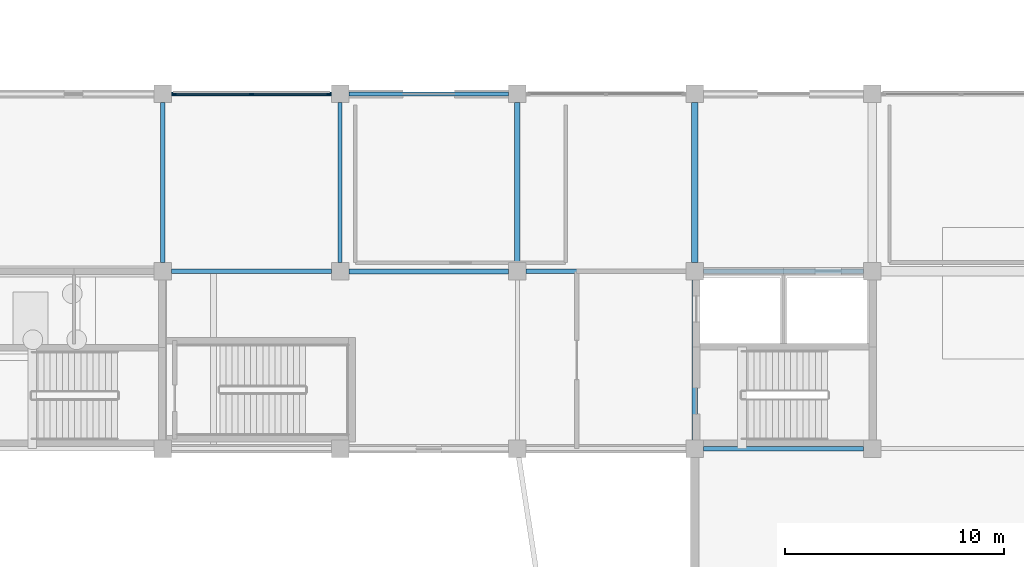
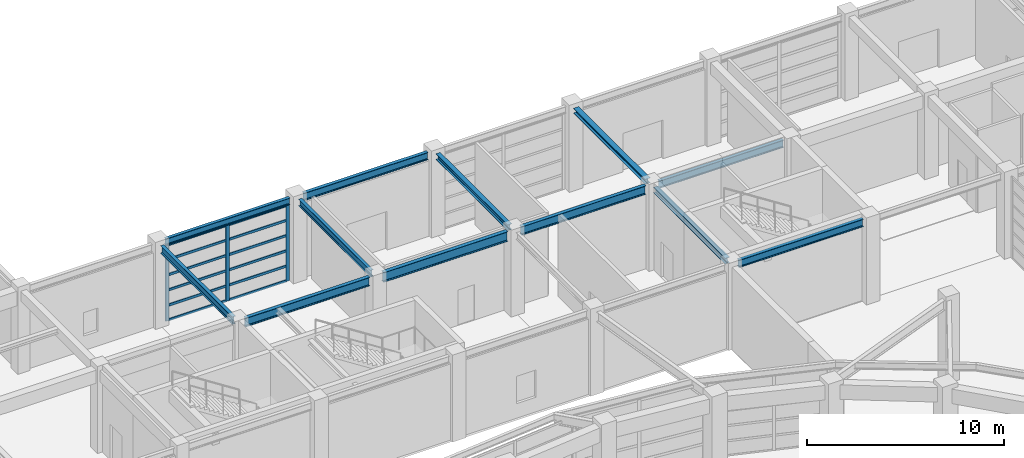
# One storey, part 18 of 52: 15 members, 12 beams, 1 element without a shape of its own.
"""IFC4 building model written with IfcOpenShell, lengths in metres."""

from ifc_helpers import new_model, si_unit, direction, frame, origin, origin_2d, place, context, subcontext, project, spatial, rectangle, i_section, extrude, material, material_profile, profile_set, type_object, element, aggregate, save


model = new_model("IFC4")

# Units and contexts
model_context = context("Model", 3, precision=1e-05, world=origin(), true_north=direction((0.0, 1.0)))
body_context = subcontext(model_context, "Body", "Model", "MODEL_VIEW")
ifc_project = project(units=[si_unit("LENGTHUNIT", "METRE"), si_unit("AREAUNIT", "SQUARE_METRE"), si_unit("VOLUMEUNIT", "CUBIC_METRE"), si_unit("PLANEANGLEUNIT", "RADIAN"), si_unit("MASSUNIT", "GRAM", prefix="KILO")], contexts=[model_context])

# Site, building, storey
site_placement = place(None, origin())
site = spatial("IfcSite", under=ifc_project, at=site_placement, CompositionType="ELEMENT")
building_placement = place(site_placement, origin())
building = spatial("IfcBuilding", under=site, at=building_placement, Name="Parian Resonance Hall", CompositionType="ELEMENT")
storey_placement = place(building_placement, origin())
storey = spatial("IfcBuildingStorey", under=building, at=storey_placement, Name="L00", CompositionType="ELEMENT", Elevation=0.0)

# Beams
ifc_material_1 = material(Name="Steel S355", Category="steel")
ifc_material_profile_1 = material_profile(ifc_material_1, i_section(OverallWidth=0.304931640625, OverallDepth=0.30810546875, WebThickness=0.010009765625, FlangeThickness=0.015380859375, FilletRadius=0.01513671875, at=origin_2d()), Name="W310x97")
ifc_profile_set_1 = profile_set([ifc_material_profile_1], Name="Steel S355")
beam_type_1 = type_object("IfcBeamType", Name="BM-W310x97", PredefinedType="BEAM", material=ifc_profile_set_1)
beam_1_placement = place(storey_placement, frame((56.699951171875, 81.39990234375, 4.99609375), z_axis=(0.0, 1.0, 0.0), x_axis=(-1.0, 0.0, 0.0)))
element("IfcBeam", 1, at=beam_1_placement, inside=storey, type_object=beam_type_1, Name="GY-L00-0423", PredefinedType="BEAM", context=body_context, shape_type="SweptSolid", body=[
    extrude(i_section(OverallWidth=0.304931640625, OverallDepth=0.30810546875, WebThickness=0.010009765625, FlangeThickness=0.015380859375, FilletRadius=0.01513671875, at=origin_2d()), origin(), (0.0, 0.0, 1.0), 7.300048828125),
])
ifc_material_2 = material(Name="Steel S355", Category="steel")
ifc_material_profile_2 = material_profile(ifc_material_2, i_section(OverallWidth=0.2548828125, OverallDepth=0.35693359375, WebThickness=0.010498046875, FlangeThickness=0.018310546875, FilletRadius=0.01513671875, at=origin_2d()), Name="W360x101")
ifc_profile_set_2 = profile_set([ifc_material_profile_2], Name="Steel S355")
beam_type_2 = type_object("IfcBeamType", Name="BM-W360x101", PredefinedType="SPANDREL", material=ifc_profile_set_2)
for number, where, z_axis, x_axis, name in (
    (2, (48.60009765625, 81.39990234375, 4.971435546875), (0.0, 1.0, 0.0), (-1.0, 0.0, 0.0), "GY-L00-0420"),
    (3, (56.699951171875, 73.300048828125, 4.971435546875), (0.0, 1.0, 0.0), (-1.0, 0.0, 0.0), "GY-L00-0422"),
):
    element("IfcBeam", number, at=place(storey_placement, frame(where, z_axis=z_axis, x_axis=x_axis)), inside=storey, type_object=beam_type_2, Name=name, PredefinedType="SPANDREL", context=body_context, shape_type="SweptSolid", body=[
        extrude(i_section(OverallWidth=0.2548828125, OverallDepth=0.35693359375, WebThickness=0.010498046875, FlangeThickness=0.018310546875, FilletRadius=0.01513671875, at=origin_2d()), origin(), (0.0, 0.0, 1.0), 7.300048828125),
    ])
ifc_material_3 = material(Name="Steel S355", Category="steel")
ifc_material_profile_3 = material_profile(ifc_material_3, i_section(OverallWidth=0.180908203125, OverallDepth=0.4169921875, WebThickness=0.010986328125, FlangeThickness=0.018310546875, FilletRadius=0.01513671875, at=origin_2d()), Name="W410x85")
ifc_profile_set_3 = profile_set([ifc_material_profile_3], Name="Steel S355")
beam_type_3 = type_object("IfcBeamType", Name="BM-W410x85", PredefinedType="SPANDREL", material=ifc_profile_set_3)
for number, where, z_axis, x_axis, name in (
    (4, (32.800048828125, 89.10009765625, 4.94140625), (1.0, 0.0, 0.0), (0.0, 1.0, 0.0), "GX-L00-0294"),
    (5, (40.5, 81.39990234375, 4.94140625), (0.0, 1.0, 0.0), (-1.0, 0.0, 0.0), "GY-L00-0418"),
):
    element("IfcBeam", number, at=place(storey_placement, frame(where, z_axis=z_axis, x_axis=x_axis)), inside=storey, type_object=beam_type_3, Name=name, PredefinedType="SPANDREL", context=body_context, shape_type="SweptSolid", body=[
        extrude(i_section(OverallWidth=0.180908203125, OverallDepth=0.4169921875, WebThickness=0.010986328125, FlangeThickness=0.018310546875, FilletRadius=0.01513671875, at=origin_2d()), origin(), (0.0, 0.0, 1.0), 7.300048828125),
    ])
ifc_material_4 = material(Name="Steel S355", Category="steel")
ifc_material_profile_4 = material_profile(ifc_material_4, i_section(OverallWidth=0.194091796875, OverallDepth=0.468994140625, WebThickness=0.0126953125, FlangeThickness=0.0205078125, FilletRadius=0.01513671875, at=origin_2d()), Name="W460x106")
ifc_profile_set_4 = profile_set([ifc_material_profile_4], Name="Steel S355")
beam_type_4 = type_object("IfcBeamType", Name="BM-W460x106", PredefinedType="SPANDREL", material=ifc_profile_set_4)
beam_2_placement = place(storey_placement, frame((40.89990234375, 89.10009765625, 4.91552734375), z_axis=(1.0, 0.0, 0.0), x_axis=(0.0, 1.0, 0.0)))
element("IfcBeam", 6, at=beam_2_placement, inside=storey, type_object=beam_type_4, Name="GX-L00-0297", PredefinedType="SPANDREL", context=body_context, shape_type="SweptSolid", body=[
    extrude(i_section(OverallWidth=0.194091796875, OverallDepth=0.468994140625, WebThickness=0.0126953125, FlangeThickness=0.0205078125, FilletRadius=0.01513671875, at=origin_2d()), origin(), (0.0, 0.0, 1.0), 7.300048828125),
])
beam_3_placement = place(storey_placement, frame((57.10009765625, 72.89990234375, 4.91552734375), z_axis=(1.0, 0.0, 0.0), x_axis=(0.0, 1.0, 0.0)))
element("IfcBeam", 7, at=beam_3_placement, inside=storey, type_object=beam_type_4, Name="GX-L00-0301", PredefinedType="SPANDREL", context=body_context, shape_type="SweptSolid", body=[
    extrude(i_section(OverallWidth=0.194091796875, OverallDepth=0.468994140625, WebThickness=0.0126953125, FlangeThickness=0.0205078125, FilletRadius=0.01513671875, at=origin_2d()), origin(), (0.0, 0.0, 1.0), 7.2998046875),
])
beam_4_placement = place(storey_placement, frame((32.39990234375, 81.39990234375, 4.865478515625), z_axis=(0.0, 1.0, 0.0), x_axis=(-1.0, 0.0, 0.0)))
element("IfcBeam", 8, at=beam_4_placement, inside=storey, type_object=beam_type_4, Name="GY-L00-0417", PredefinedType="SPANDREL", context=body_context, shape_type="SweptSolid", body=[
    extrude(i_section(OverallWidth=0.194091796875, OverallDepth=0.468994140625, WebThickness=0.0126953125, FlangeThickness=0.0205078125, FilletRadius=0.01513671875, at=origin_2d()), origin(), (0.0, 0.0, 1.0), 7.300048828125),
])
ifc_material_5 = material(Name="Steel S355", Category="steel")
ifc_material_profile_5 = material_profile(ifc_material_5, i_section(OverallWidth=0.19091796875, OverallDepth=0.4599609375, WebThickness=0.010009765625, FlangeThickness=0.01611328125, FilletRadius=0.01513671875, at=origin_2d()), Name="W460x82")
ifc_profile_set_5 = profile_set([ifc_material_profile_5], Name="Steel S355")
beam_type_5 = type_object("IfcBeamType", Name="BM-W460x82", PredefinedType="BEAM", material=ifc_profile_set_5)
beam_5_placement = place(storey_placement, frame((57.10009765625, 81.0, 4.919921875), z_axis=(1.0, 0.0, 0.0), x_axis=(0.0, 1.0, 0.0)))
element("IfcBeam", 9, at=beam_5_placement, inside=storey, type_object=beam_type_5, Name="GX-L00-0302", PredefinedType="BEAM", context=body_context, shape_type="SweptSolid", body=[
    extrude(i_section(OverallWidth=0.19091796875, OverallDepth=0.4599609375, WebThickness=0.010009765625, FlangeThickness=0.01611328125, FilletRadius=0.01513671875, at=origin_2d()), origin(), (0.0, 0.0, 1.0), 7.2998046875),
])
ifc_material_6 = material(Name="Steel S355", Category="steel")
ifc_material_profile_6 = material_profile(ifc_material_6, i_section(OverallWidth=0.2119140625, OverallDepth=0.5439453125, WebThickness=0.01318359375, FlangeThickness=0.021240234375, FilletRadius=0.017822265625, at=origin_2d()), Name="W530x123")
ifc_profile_set_6 = profile_set([ifc_material_profile_6], Name="Steel S355")
beam_type_6 = type_object("IfcBeamType", Name="BM-W530x123", PredefinedType="USERDEFINED", material=ifc_profile_set_6)
beam_6_placement = place(storey_placement, frame((32.800048828125, 81.0, 4.8779296875), z_axis=(1.0, 0.0, 0.0), x_axis=(0.0, 1.0, 0.0)))
element("IfcBeam", 10, at=beam_6_placement, inside=storey, type_object=beam_type_6, Name="GX-L00-0293", ObjectType="GIRDER", PredefinedType="USERDEFINED", context=body_context, shape_type="SweptSolid", body=[
    extrude(i_section(OverallWidth=0.2119140625, OverallDepth=0.5439453125, WebThickness=0.01318359375, FlangeThickness=0.021240234375, FilletRadius=0.017822265625, at=origin_2d()), origin(), (0.0, 0.0, 1.0), 7.300048828125),
])
ifc_material_7 = material(Name="Steel S355", Category="steel")
ifc_material_profile_7 = material_profile(ifc_material_7, i_section(OverallWidth=0.208984375, OverallDepth=0.532958984375, WebThickness=0.01025390625, FlangeThickness=0.015625, FilletRadius=0.017822265625, at=origin_2d()), Name="W530x92")
ifc_profile_set_7 = profile_set([ifc_material_profile_7], Name="Steel S355")
beam_type_7 = type_object("IfcBeamType", Name="BM-W530x92", PredefinedType="BEAM", material=ifc_profile_set_7)
beam_7_placement = place(storey_placement, frame((49.0, 81.0, 4.883544921875), z_axis=(1.0, 0.0, 0.0), x_axis=(0.0, 1.0, 0.0)))
element("IfcBeam", 11, at=beam_7_placement, inside=storey, type_object=beam_type_7, Name="GX-L00-0299", PredefinedType="BEAM", context=body_context, shape_type="SweptSolid", body=[
    extrude(i_section(OverallWidth=0.208984375, OverallDepth=0.532958984375, WebThickness=0.01025390625, FlangeThickness=0.015625, FilletRadius=0.017822265625, at=origin_2d()), origin(), (0.0, 0.0, 1.0), 7.300048828125),
])
ifc_material_8 = material(Name="Steel S355", Category="steel")
ifc_material_profile_8 = material_profile(ifc_material_8, i_section(OverallWidth=0.22802734375, OverallDepth=0.60791015625, WebThickness=0.01123046875, FlangeThickness=0.017333984375, FilletRadius=0.017822265625, at=origin_2d()), Name="W610x113")
ifc_profile_set_8 = profile_set([ifc_material_profile_8], Name="Steel S355")
beam_type_8 = type_object("IfcBeamType", Name="BM-W610x113", PredefinedType="USERDEFINED", material=ifc_profile_set_8)
beam_8_placement = place(storey_placement, frame((40.89990234375, 81.0, 4.845947265625), z_axis=(1.0, 0.0, 0.0), x_axis=(0.0, 1.0, 0.0)))
element("IfcBeam", 12, at=beam_8_placement, inside=storey, type_object=beam_type_8, Name="GX-L00-0296", ObjectType="GIRDER", PredefinedType="USERDEFINED", context=body_context, shape_type="SweptSolid", body=[
    extrude(i_section(OverallWidth=0.22802734375, OverallDepth=0.60791015625, WebThickness=0.01123046875, FlangeThickness=0.017333984375, FilletRadius=0.017822265625, at=origin_2d()), origin(), (0.0, 0.0, 1.0), 7.300048828125),
])

# Curtain wall, members
ifc_material_9 = material(Name="Bronze-anodised aluminium frame", Category="aluminium")
curtain_wall_type = type_object("IfcCurtainWallType", Name="CW-SYS-05", PredefinedType="NOTDEFINED", material=ifc_material_9)
curtain_wall_placement = place(storey_placement, origin())
curtain_wall = element("IfcCurtainWall", 13, at=curtain_wall_placement, inside=storey, type_object=curtain_wall_type, Name="Curtain wall CW-L00-076", PredefinedType="NOTDEFINED")
ifc_material_10 = material(Name="Bronze-anodised aluminium frame", Category="aluminium")
ifc_material_profile_9 = material_profile(ifc_material_10, rectangle(XDim=0.074951171875, YDim=0.199951171875, at=origin_2d()), Name="CWM-75x200")
ifc_profile_set_9 = profile_set([ifc_material_profile_9], Name="Bronze-anodised aluminium frame")
member_type_1 = type_object("IfcMemberType", Name="CWM-75x200", PredefinedType="MULLION", material=ifc_profile_set_9)
member_1_placement = place(storey_placement, frame((32.91748046875, 89.10009765625, -0.008056640625), z_axis=(0.0, 0.0, 1.0), x_axis=(0.0, 1.0, 0.0)))
member_1 = element("IfcMember", 14, at=member_1_placement, type_object=member_type_1, Name="CW-05 mullion 1", PredefinedType="MULLION", context=body_context, shape_type="SweptSolid", body=[
    extrude(rectangle(XDim=0.074951171875, YDim=0.199951171875, at=origin_2d()), origin(), (0.0, 0.0, 1.0), 4.7451171875),
])
member_2_placement = place(storey_placement, frame((36.449951171875, 89.10009765625, -0.008056640625), z_axis=(0.0, 0.0, 1.0), x_axis=(0.0, 1.0, 0.0)))
member_2 = element("IfcMember", 15, at=member_2_placement, type_object=member_type_1, Name="CW-05 mullion 2", PredefinedType="MULLION", context=body_context, shape_type="SweptSolid", body=[
    extrude(rectangle(XDim=0.074951171875, YDim=0.199951171875, at=origin_2d()), origin(), (0.0, 0.0, 1.0), 4.7451171875),
])
member_3_placement = place(storey_placement, frame((39.982421875, 89.10009765625, -0.008056640625), z_axis=(0.0, 0.0, 1.0), x_axis=(0.0, 1.0, 0.0)))
member_3 = element("IfcMember", 16, at=member_3_placement, type_object=member_type_1, Name="CW-05 mullion 3", PredefinedType="MULLION", context=body_context, shape_type="SweptSolid", body=[
    extrude(rectangle(XDim=0.074951171875, YDim=0.199951171875, at=origin_2d()), origin(), (0.0, 0.0, 1.0), 4.7451171875),
])
ifc_material_11 = material(Name="Bronze-anodised aluminium frame", Category="aluminium")
ifc_material_profile_10 = material_profile(ifc_material_11, rectangle(XDim=0.074951171875, YDim=0.14990234375, at=origin_2d()), Name="CWT-75x150")
ifc_profile_set_10 = profile_set([ifc_material_profile_10], Name="Bronze-anodised aluminium frame")
member_type_2 = type_object("IfcMemberType", Name="CWT-75x150", PredefinedType="USERDEFINED", material=ifc_profile_set_10)
member_4_placement = place(storey_placement, frame((32.955078125, 89.10009765625, 0.029541015625), z_axis=(1.0, 0.0, 0.0), x_axis=(0.0, 1.0, 0.0)))
member_4 = element("IfcMember", 17, at=member_4_placement, type_object=member_type_2, Name="CW-05 transom 1.1", ObjectType="TRANSOM", PredefinedType="USERDEFINED", context=body_context, shape_type="SweptSolid", body=[
    extrude(rectangle(XDim=0.074951171875, YDim=0.14990234375, at=origin_2d()), origin(), (0.0, 0.0, 1.0), 3.45751953125),
])
member_5_placement = place(storey_placement, frame((32.955078125, 89.10009765625, 0.9453125), z_axis=(1.0, 0.0, 0.0), x_axis=(0.0, 1.0, 0.0)))
member_5 = element("IfcMember", 18, at=member_5_placement, type_object=member_type_2, Name="CW-05 transom 1.2", ObjectType="TRANSOM", PredefinedType="USERDEFINED", context=body_context, shape_type="SweptSolid", body=[
    extrude(rectangle(XDim=0.074951171875, YDim=0.14990234375, at=origin_2d()), origin(), (0.0, 0.0, 1.0), 3.45751953125),
])
member_6_placement = place(storey_placement, frame((32.955078125, 89.10009765625, 1.890869140625), z_axis=(1.0, 0.0, 0.0), x_axis=(0.0, 1.0, 0.0)))
member_6 = element("IfcMember", 19, at=member_6_placement, type_object=member_type_2, Name="CW-05 transom 1.3", ObjectType="TRANSOM", PredefinedType="USERDEFINED", context=body_context, shape_type="SweptSolid", body=[
    extrude(rectangle(XDim=0.074951171875, YDim=0.14990234375, at=origin_2d()), origin(), (0.0, 0.0, 1.0), 3.45751953125),
])
member_7_placement = place(storey_placement, frame((32.955078125, 89.10009765625, 2.836181640625), z_axis=(1.0, 0.0, 0.0), x_axis=(0.0, 1.0, 0.0)))
member_7 = element("IfcMember", 20, at=member_7_placement, type_object=member_type_2, Name="CW-05 transom 1.4", ObjectType="TRANSOM", PredefinedType="USERDEFINED", context=body_context, shape_type="SweptSolid", body=[
    extrude(rectangle(XDim=0.074951171875, YDim=0.14990234375, at=origin_2d()), origin(), (0.0, 0.0, 1.0), 3.45751953125),
])
member_8_placement = place(storey_placement, frame((32.955078125, 89.10009765625, 3.781494140625), z_axis=(1.0, 0.0, 0.0), x_axis=(0.0, 1.0, 0.0)))
member_8 = element("IfcMember", 21, at=member_8_placement, type_object=member_type_2, Name="CW-05 transom 1.5", ObjectType="TRANSOM", PredefinedType="USERDEFINED", context=body_context, shape_type="SweptSolid", body=[
    extrude(rectangle(XDim=0.074951171875, YDim=0.14990234375, at=origin_2d()), origin(), (0.0, 0.0, 1.0), 3.45751953125),
])
member_9_placement = place(storey_placement, frame((32.955078125, 89.10009765625, 4.699462890625), z_axis=(1.0, 0.0, 0.0), x_axis=(0.0, 1.0, 0.0)))
member_9 = element("IfcMember", 22, at=member_9_placement, type_object=member_type_2, Name="CW-05 transom 1.6", ObjectType="TRANSOM", PredefinedType="USERDEFINED", context=body_context, shape_type="SweptSolid", body=[
    extrude(rectangle(XDim=0.074951171875, YDim=0.14990234375, at=origin_2d()), origin(), (0.0, 0.0, 1.0), 3.45751953125),
])
member_10_placement = place(storey_placement, frame((36.487548828125, 89.10009765625, 0.029541015625), z_axis=(1.0, 0.0, 0.0), x_axis=(0.0, 1.0, 0.0)))
member_10 = element("IfcMember", 23, at=member_10_placement, type_object=member_type_2, Name="CW-05 transom 2.1", ObjectType="TRANSOM", PredefinedType="USERDEFINED", context=body_context, shape_type="SweptSolid", body=[
    extrude(rectangle(XDim=0.074951171875, YDim=0.14990234375, at=origin_2d()), origin(), (0.0, 0.0, 1.0), 3.45751953125),
])
member_11_placement = place(storey_placement, frame((36.487548828125, 89.10009765625, 0.9453125), z_axis=(1.0, 0.0, 0.0), x_axis=(0.0, 1.0, 0.0)))
member_11 = element("IfcMember", 24, at=member_11_placement, type_object=member_type_2, Name="CW-05 transom 2.2", ObjectType="TRANSOM", PredefinedType="USERDEFINED", context=body_context, shape_type="SweptSolid", body=[
    extrude(rectangle(XDim=0.074951171875, YDim=0.14990234375, at=origin_2d()), origin(), (0.0, 0.0, 1.0), 3.45751953125),
])
member_12_placement = place(storey_placement, frame((36.487548828125, 89.10009765625, 1.890869140625), z_axis=(1.0, 0.0, 0.0), x_axis=(0.0, 1.0, 0.0)))
member_12 = element("IfcMember", 25, at=member_12_placement, type_object=member_type_2, Name="CW-05 transom 2.3", ObjectType="TRANSOM", PredefinedType="USERDEFINED", context=body_context, shape_type="SweptSolid", body=[
    extrude(rectangle(XDim=0.074951171875, YDim=0.14990234375, at=origin_2d()), origin(), (0.0, 0.0, 1.0), 3.45751953125),
])
member_13_placement = place(storey_placement, frame((36.487548828125, 89.10009765625, 2.836181640625), z_axis=(1.0, 0.0, 0.0), x_axis=(0.0, 1.0, 0.0)))
member_13 = element("IfcMember", 26, at=member_13_placement, type_object=member_type_2, Name="CW-05 transom 2.4", ObjectType="TRANSOM", PredefinedType="USERDEFINED", context=body_context, shape_type="SweptSolid", body=[
    extrude(rectangle(XDim=0.074951171875, YDim=0.14990234375, at=origin_2d()), origin(), (0.0, 0.0, 1.0), 3.45751953125),
])
member_14_placement = place(storey_placement, frame((36.487548828125, 89.10009765625, 3.781494140625), z_axis=(1.0, 0.0, 0.0), x_axis=(0.0, 1.0, 0.0)))
member_14 = element("IfcMember", 27, at=member_14_placement, type_object=member_type_2, Name="CW-05 transom 2.5", ObjectType="TRANSOM", PredefinedType="USERDEFINED", context=body_context, shape_type="SweptSolid", body=[
    extrude(rectangle(XDim=0.074951171875, YDim=0.14990234375, at=origin_2d()), origin(), (0.0, 0.0, 1.0), 3.45751953125),
])
member_15_placement = place(storey_placement, frame((36.487548828125, 89.10009765625, 4.699462890625), z_axis=(1.0, 0.0, 0.0), x_axis=(0.0, 1.0, 0.0)))
member_15 = element("IfcMember", 28, at=member_15_placement, type_object=member_type_2, Name="CW-05 transom 2.6", ObjectType="TRANSOM", PredefinedType="USERDEFINED", context=body_context, shape_type="SweptSolid", body=[
    extrude(rectangle(XDim=0.074951171875, YDim=0.14990234375, at=origin_2d()), origin(), (0.0, 0.0, 1.0), 3.45751953125),
])
aggregate(curtain_wall, [member_1, member_2, member_3, member_4, member_5, member_6, member_7, member_8, member_9, member_10, member_11, member_12, member_13, member_14, member_15])

save(model, "model.ifc")
